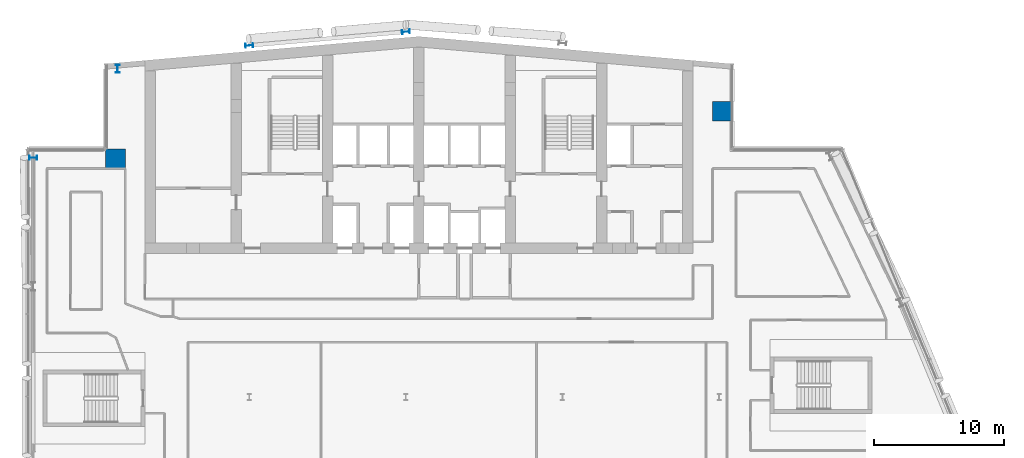
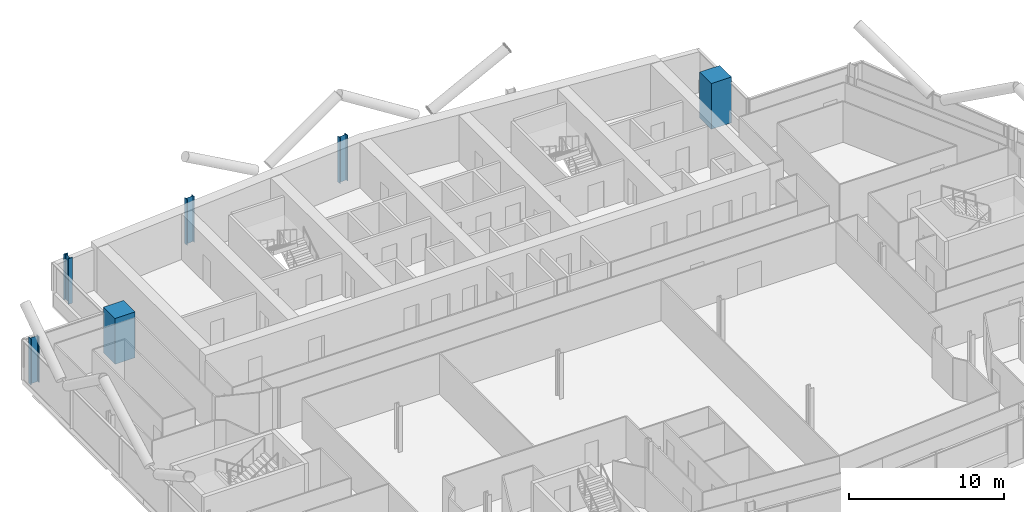
# One storey, part 3 of 28: 6 columns.
"""IFC4 building model written with IfcOpenShell, lengths in metres."""

from ifc_helpers import new_model, si_unit, direction, frame, origin, origin_2d, place, context, subcontext, project, spatial, rectangle, i_section, extrude, material, material_profile, profile_set, type_object, element, save


model = new_model("IFC4")

# Units and contexts
model_context = context("Model", 3, precision=1e-05, world=origin(), true_north=direction((0.0, 1.0)))
body_context = subcontext(model_context, "Body", "Model", "MODEL_VIEW")
ifc_project = project(units=[si_unit("LENGTHUNIT", "METRE"), si_unit("AREAUNIT", "SQUARE_METRE"), si_unit("VOLUMEUNIT", "CUBIC_METRE"), si_unit("PLANEANGLEUNIT", "RADIAN"), si_unit("MASSUNIT", "GRAM", prefix="KILO")], contexts=[model_context])

# Site, building, storey
site_placement = place(None, origin())
site = spatial("IfcSite", under=ifc_project, at=site_placement, CompositionType="ELEMENT")
building_placement = place(site_placement, origin())
building = spatial("IfcBuilding", under=site, at=building_placement, Name="Wharfspan Tower", CompositionType="ELEMENT")
storey_placement = place(building_placement, frame((0.0, 0.0, 187.899902)))
storey = spatial("IfcBuildingStorey", under=building, at=storey_placement, Name="L46", CompositionType="ELEMENT", Elevation=187.899902)

# Columns
ifc_material_1 = material(Name="Steel S355J2", Category="steel")
ifc_material_profile_1 = material_profile(ifc_material_1, i_section(OverallWidth=0.300049, OverallDepth=0.600098, WebThickness=0.015381, FlangeThickness=0.030029, FilletRadius=0.0271, at=origin_2d()))
ifc_profile_set_1 = profile_set([ifc_material_profile_1], Name="Steel S355J2")
column_type_1 = type_object("IfcColumnType", Name="Column HEB 600", PredefinedType="COLUMN", material=ifc_profile_set_1)
for number, where, z_axis, x_axis, name in (
    (1, (24.0, 49.937256, 0.0), (0.0, 0.0, 1.0), (-0.087156, 0.996198, 0.0), "Rear column R.1 L46"),
    (2, (36.0, 50.987061, 0.0), (0.0, 0.0, 1.0), (-0.087156, 0.996198, 0.0), "Rear column R.2 L46"),
):
    element("IfcColumn", number, at=place(storey_placement, frame(where, z_axis=z_axis, x_axis=x_axis)), inside=storey, type_object=column_type_1, Name=name, PredefinedType="COLUMN", context=body_context, shape_type="SweptSolid", body=[
        extrude(i_section(OverallWidth=0.300049, OverallDepth=0.600098, WebThickness=0.015381, FlangeThickness=0.030029, FilletRadius=0.0271, at=origin_2d()), origin(), (0.0, 0.0, 1.0), 3.600098),
    ])
ifc_material_profile_2 = material_profile(ifc_material_1, i_section(OverallWidth=0.304932, OverallDepth=0.620117, WebThickness=0.020996, FlangeThickness=0.040039, FilletRadius=0.0271, at=origin_2d()))
ifc_profile_set_2 = profile_set([ifc_material_profile_2], Name="Steel S355J2")
column_type_2 = type_object("IfcColumnType", Name="Column HEM 600", PredefinedType="COLUMN", material=ifc_profile_set_2)
for number, where, z_axis, x_axis, name in (
    (3, (13.911133, 48.141113, 0.0), (0.0, 0.0, 1.0), (-1.0, 0.0, 0.0), "Perimeter column PNRW-V.1 L46"),
    (4, (7.450439, 41.333008, 0.0), (0.0, 0.0, 1.0), (0.0, 1.0, 0.0), "Perimeter column PNRW-H.1 L46"),
):
    element("IfcColumn", number, at=place(storey_placement, frame(where, z_axis=z_axis, x_axis=x_axis)), inside=storey, type_object=column_type_2, Name=name, PredefinedType="COLUMN", context=body_context, shape_type="SweptSolid", body=[
        extrude(i_section(OverallWidth=0.304932, OverallDepth=0.620117, WebThickness=0.020996, FlangeThickness=0.040039, FilletRadius=0.0271, at=origin_2d()), origin(), (0.0, 0.0, 1.0), 3.600098),
    ])
ifc_material_2 = material(Name="Concrete C60/75", Category="concrete")
ifc_material_profile_3 = material_profile(ifc_material_2, rectangle(XDim=1.5, YDim=1.5, at=origin_2d()))
ifc_profile_set_3 = profile_set([ifc_material_profile_3], Name="Concrete C60/75")
column_type_3 = type_object("IfcColumnType", Name="Mega column 1500 C60/75", PredefinedType="COLUMN", material=ifc_profile_set_3)
for number, where, z_axis, x_axis, name in (
    (5, (13.75, 41.25, 0.0), (0.0, 0.0, 1.0), (1.0, 0.0, 0.0), "Mega column MC2 L46"),
    (6, (60.25, 44.899902, 0.0), (0.0, 0.0, 1.0), (1.0, 0.0, 0.0), "Mega column MC3 L46"),
):
    element("IfcColumn", number, at=place(storey_placement, frame(where, z_axis=z_axis, x_axis=x_axis)), inside=storey, type_object=column_type_3, Name=name, PredefinedType="COLUMN", context=body_context, shape_type="SweptSolid", body=[
        extrude(rectangle(XDim=1.5, YDim=1.5, at=origin_2d()), origin(), (0.0, 0.0, 1.0), 3.600098),
    ])

save(model, "model.ifc")
